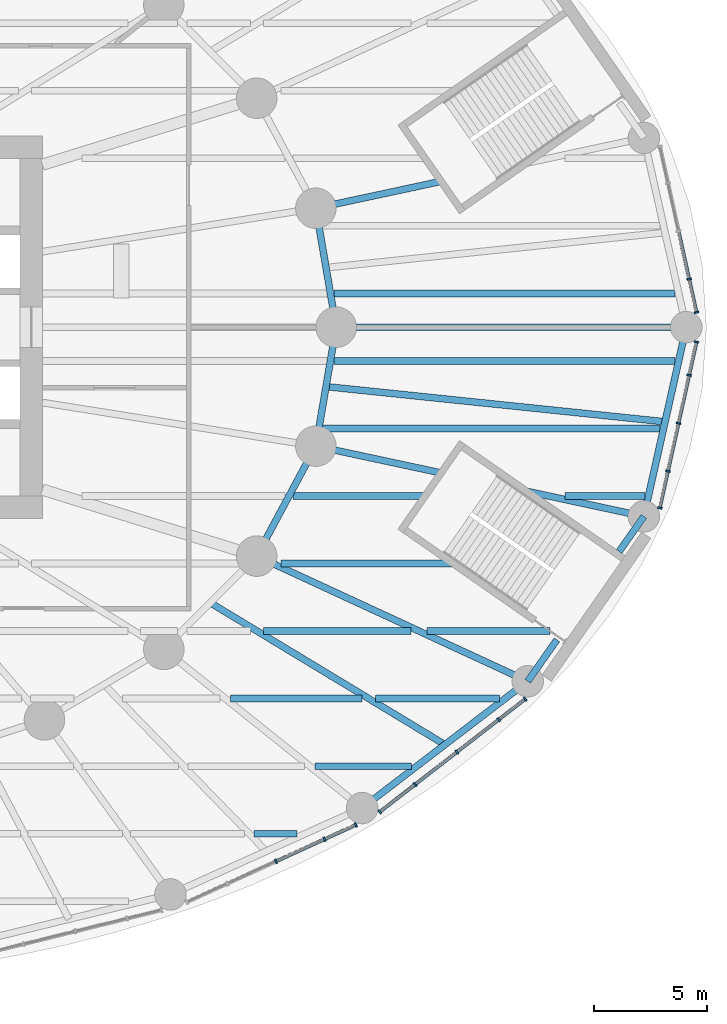
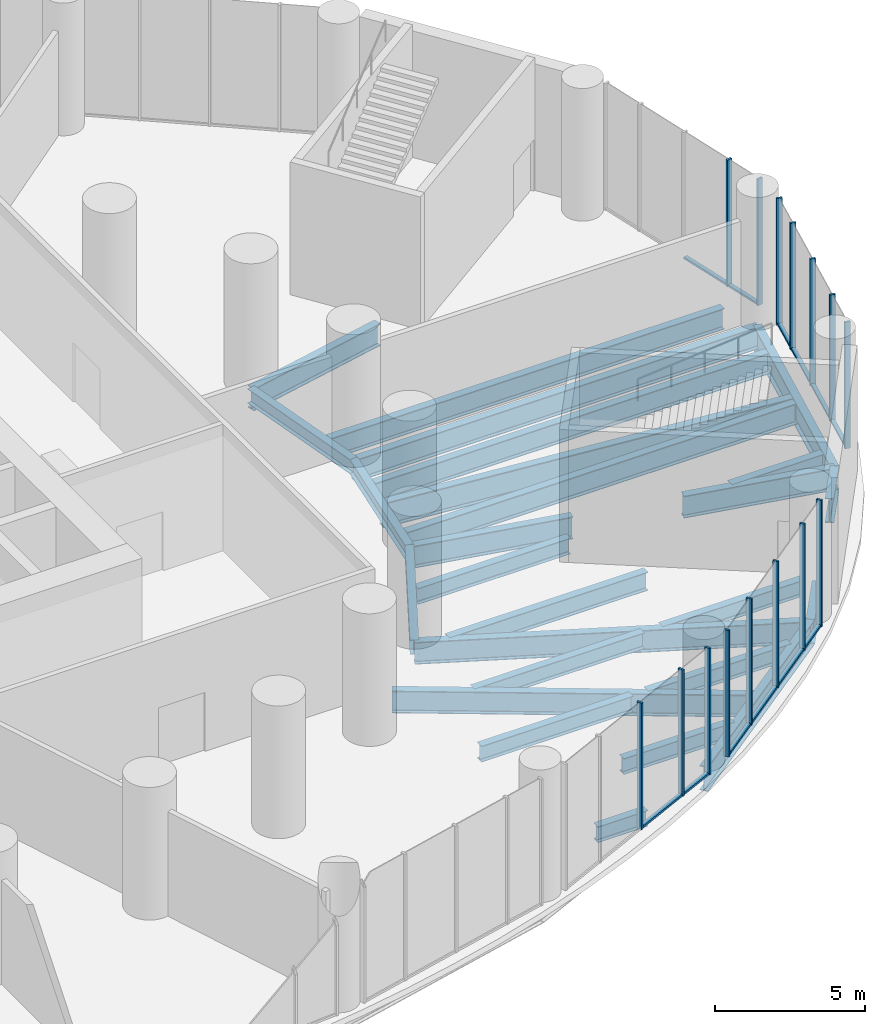
# One storey, part 11 of 23: 27 members, 26 beams, 4 elements without a shape of their own.
"""IFC4 building model written with IfcOpenShell, lengths in metres."""

from ifc_helpers import new_model, si_unit, direction, frame, origin, origin_2d, place, context, subcontext, project, spatial, rectangle, i_section, extrude, material, material_profile, profile_set, type_object, element, aggregate, save


model = new_model("IFC4")

# Units and contexts
model_context = context("Model", 3, precision=1e-05, world=origin(), true_north=direction((0.0, 1.0)))
body_context = subcontext(model_context, "Body", "Model", "MODEL_VIEW")
ifc_project = project(units=[si_unit("LENGTHUNIT", "METRE"), si_unit("AREAUNIT", "SQUARE_METRE"), si_unit("VOLUMEUNIT", "CUBIC_METRE"), si_unit("PLANEANGLEUNIT", "RADIAN"), si_unit("MASSUNIT", "GRAM", prefix="KILO")], contexts=[model_context])

# Site, building, storey
site_placement = place(None, origin())
site = spatial("IfcSite", under=ifc_project, at=site_placement, CompositionType="ELEMENT")
building_placement = place(site_placement, origin())
building = spatial("IfcBuilding", under=site, at=building_placement, Name="Hankou Lantern Tower", CompositionType="ELEMENT")
storey_placement = place(building_placement, frame((0.0, 0.0, 19.199951171875)))
storey = spatial("IfcBuildingStorey", under=building, at=storey_placement, Name="L03", CompositionType="ELEMENT", Elevation=19.199951171875)

# Beams
ifc_material_1 = material(Name="Steel Q355B", Category="steel")
ifc_material_profile_1 = material_profile(ifc_material_1, i_section(OverallWidth=0.300048828125, OverallDepth=0.587890625, WebThickness=0.011962890625, FlangeThickness=0.02001953125, FilletRadius=0.01806640625, at=origin_2d()), Name="HM588x300x12x20")
ifc_profile_set_1 = profile_set([ifc_material_profile_1], Name="Steel Q355B")
beam_type_1 = type_object("IfcBeamType", Name="EB16 RING BEAM HM588x300x12x20", PredefinedType="SPANDREL", material=ifc_profile_set_1)
beam_1_placement = place(storey_placement, frame((25.550048828125, 0.0, -0.5439453125), z_axis=(-0.168489691988, 0.985703415685, 0.0), x_axis=(-0.985703415685, -0.168489691988, 0.0)))
element("IfcBeam", 1, at=beam_1_placement, inside=storey, type_object=beam_type_1, Name="Ring beam R01-R02 L03", PredefinedType="SPANDREL", context=body_context, shape_type="SweptSolid", body=[
    extrude(i_section(OverallWidth=0.300048828125, OverallDepth=0.587890625, WebThickness=0.011962890625, FlangeThickness=0.02001953125, FilletRadius=0.01806640625, at=origin_2d()), origin(), (0.0, 0.0, 1.0), 5.35986328125),
])
beam_2_placement = place(storey_placement, frame((22.01904296875, -10.170166015625, -0.5439453125), z_axis=(0.473609096023, 0.880735161194, 0.0), x_axis=(-0.880735161194, 0.473609096023, 0.0)))
element("IfcBeam", 2, at=beam_2_placement, inside=storey, type_object=beam_type_1, Name="Ring beam R23-R24 L03", PredefinedType="SPANDREL", context=body_context, shape_type="SweptSolid", body=[
    extrude(i_section(OverallWidth=0.300048828125, OverallDepth=0.587890625, WebThickness=0.011962890625, FlangeThickness=0.02001953125, FilletRadius=0.01806640625, at=origin_2d()), origin(), (0.0, 0.0, 1.0), 5.548828125),
])
beam_3_placement = place(storey_placement, frame((24.64697265625, -5.283203125, -0.5439453125), z_axis=(0.168489691988, 0.985703415685, 0.0), x_axis=(-0.985703415685, 0.168489691988, 0.0)))
element("IfcBeam", 3, at=beam_3_placement, inside=storey, type_object=beam_type_1, Name="Ring beam R24-R01 L03", PredefinedType="SPANDREL", context=body_context, shape_type="SweptSolid", body=[
    extrude(i_section(OverallWidth=0.300048828125, OverallDepth=0.587890625, WebThickness=0.011962890625, FlangeThickness=0.02001953125, FilletRadius=0.01806640625, at=origin_2d()), origin(), (0.0, 0.0, 1.0), 5.35986328125),
])

# Curtain wall, members
ifc_material_2 = material(Name="Glass, dark grey tinted laminated", Category="glass")
curtain_wall_type = type_object("IfcCurtainWallType", Name="CWP PODIUM CURTAIN WALL", PredefinedType="USERDEFINED", material=ifc_material_2)
curtain_wall_1_placement = place(storey_placement, origin())
curtain_wall_1 = element("IfcCurtainWall", 4, at=curtain_wall_1_placement, inside=storey, type_object=curtain_wall_type, Name="CWP L03 PC17", ObjectType="PODIUM GLAZING", PredefinedType="USERDEFINED")
ifc_material_3 = material(Name="Aluminium, black anodised", Category="aluminium")
ifc_material_profile_2 = material_profile(ifc_material_3, rectangle(XDim=0.080078125, YDim=0.199951171875, at=origin_2d()), Name="MU2 80X200")
ifc_profile_set_2 = profile_set([ifc_material_profile_2], Name="Aluminium, black anodised")
member_type_1 = type_object("IfcMemberType", Name="MU2 PODIUM MULLION 80X200", PredefinedType="MULLION", material=ifc_profile_set_2)
member_1_placement = place(storey_placement, frame((22.873046875, -23.730224609375, 0.0), z_axis=(0.0, 0.0, 1.0), x_axis=(0.909669790944, 0.41533224224, 0.0)))
member_1 = element("IfcMember", 5, at=member_1_placement, type_object=member_type_1, Name="CWP mullion 3", PredefinedType="MULLION", context=body_context, shape_type="SweptSolid", body=[
    extrude(rectangle(XDim=0.080078125, YDim=0.199951171875, at=origin_2d()), origin(), (0.0, 0.0, 1.0), 5.150146484375),
])
member_2_placement = place(storey_placement, frame((25.034423828125, -22.743408203125, 0.0), z_axis=(0.0, 0.0, 1.0), x_axis=(0.909669790944, 0.41533224224, 0.0)))
member_2 = element("IfcMember", 6, at=member_2_placement, type_object=member_type_1, Name="CWP mullion 4", PredefinedType="MULLION", context=body_context, shape_type="SweptSolid", body=[
    extrude(rectangle(XDim=0.080078125, YDim=0.199951171875, at=origin_2d()), origin(), (0.0, 0.0, 1.0), 5.150146484375),
])
member_3_placement = place(storey_placement, frame((26.421630859375, -22.10986328125, 0.0), z_axis=(0.0, 0.0, 1.0), x_axis=(0.909669790944, 0.41533224224, 0.0)))
member_3 = element("IfcMember", 7, at=member_3_placement, type_object=member_type_1, Name="CWP mullion 5", PredefinedType="MULLION", context=body_context, shape_type="SweptSolid", body=[
    extrude(rectangle(XDim=0.080078125, YDim=0.199951171875, at=origin_2d()), origin(), (0.0, 0.0, 1.0), 5.150146484375),
])

curtain_wall_2_placement = place(storey_placement, origin())
curtain_wall_2 = element("IfcCurtainWall", 8, at=curtain_wall_2_placement, inside=storey, type_object=curtain_wall_type, Name="CWP L03 PC18", ObjectType="PODIUM GLAZING", PredefinedType="USERDEFINED")
member_4_placement = place(storey_placement, frame((27.487060546875, -21.530517578125, 0.0), z_axis=(0.0, 0.0, 1.0), x_axis=(0.790129760642, 0.612939606608, 0.0)))
member_4 = element("IfcMember", 9, at=member_4_placement, type_object=member_type_1, Name="CWP mullion 1", PredefinedType="MULLION", context=body_context, shape_type="SweptSolid", body=[
    extrude(rectangle(XDim=0.080078125, YDim=0.199951171875, at=origin_2d()), origin(), (0.0, 0.0, 1.0), 5.150146484375),
])
member_5_placement = place(storey_placement, frame((29.05322265625, -20.315673828125, 0.0), z_axis=(0.0, 0.0, 1.0), x_axis=(0.790129760642, 0.612939606608, 0.0)))
member_5 = element("IfcMember", 10, at=member_5_placement, type_object=member_type_1, Name="CWP mullion 2", PredefinedType="MULLION", context=body_context, shape_type="SweptSolid", body=[
    extrude(rectangle(XDim=0.080078125, YDim=0.199951171875, at=origin_2d()), origin(), (0.0, 0.0, 1.0), 5.150146484375),
])
member_6_placement = place(storey_placement, frame((30.91064453125, -18.874755859375, 0.0), z_axis=(0.0, 0.0, 1.0), x_axis=(0.790129760642, 0.612939606608, 0.0)))
member_6 = element("IfcMember", 11, at=member_6_placement, type_object=member_type_1, Name="CWP mullion 3", PredefinedType="MULLION", context=body_context, shape_type="SweptSolid", body=[
    extrude(rectangle(XDim=0.080078125, YDim=0.199951171875, at=origin_2d()), origin(), (0.0, 0.0, 1.0), 5.150146484375),
])
member_7_placement = place(storey_placement, frame((32.76806640625, -17.433837890625, 0.0), z_axis=(0.0, 0.0, 1.0), x_axis=(0.790129760642, 0.612939606608, 0.0)))
member_7 = element("IfcMember", 12, at=member_7_placement, type_object=member_type_1, Name="CWP mullion 4", PredefinedType="MULLION", context=body_context, shape_type="SweptSolid", body=[
    extrude(rectangle(XDim=0.080078125, YDim=0.199951171875, at=origin_2d()), origin(), (0.0, 0.0, 1.0), 5.150146484375),
])
member_8_placement = place(storey_placement, frame((33.945068359375, -16.520751953125, 0.0), z_axis=(0.0, 0.0, 1.0), x_axis=(0.790129760642, 0.612939606608, 0.0)))
member_8 = element("IfcMember", 13, at=member_8_placement, type_object=member_type_1, Name="CWP mullion 5", PredefinedType="MULLION", context=body_context, shape_type="SweptSolid", body=[
    extrude(rectangle(XDim=0.080078125, YDim=0.199951171875, at=origin_2d()), origin(), (0.0, 0.0, 1.0), 5.150146484375),
])

curtain_wall_3_placement = place(storey_placement, origin())
curtain_wall_3 = element("IfcCurtainWall", 14, at=curtain_wall_3_placement, inside=storey, type_object=curtain_wall_type, Name="CWP L03 PC19", ObjectType="PODIUM GLAZING", PredefinedType="USERDEFINED")
member_9_placement = place(storey_placement, frame((39.925537109375, -8.028564453125, 0.0), z_axis=(0.0, 0.0, 1.0), x_axis=(0.215821488116, 0.976432837049, 0.0)))
member_9 = element("IfcMember", 15, at=member_9_placement, type_object=member_type_1, Name="CWP mullion 1", PredefinedType="MULLION", context=body_context, shape_type="SweptSolid", body=[
    extrude(rectangle(XDim=0.080078125, YDim=0.199951171875, at=origin_2d()), origin(), (0.0, 0.0, 1.0), 5.150146484375),
])
member_10_placement = place(storey_placement, frame((40.28515625, -6.40087890625, 0.0), z_axis=(0.0, 0.0, 1.0), x_axis=(0.215821488116, 0.976432837049, 0.0)))
member_10 = element("IfcMember", 16, at=member_10_placement, type_object=member_type_1, Name="CWP mullion 2", PredefinedType="MULLION", context=body_context, shape_type="SweptSolid", body=[
    extrude(rectangle(XDim=0.080078125, YDim=0.199951171875, at=origin_2d()), origin(), (0.0, 0.0, 1.0), 5.150146484375),
])
member_11_placement = place(storey_placement, frame((40.7568359375, -4.267333984375, 0.0), z_axis=(0.0, 0.0, 1.0), x_axis=(0.215821488116, 0.976432837049, 0.0)))
member_11 = element("IfcMember", 17, at=member_11_placement, type_object=member_type_1, Name="CWP mullion 3", PredefinedType="MULLION", context=body_context, shape_type="SweptSolid", body=[
    extrude(rectangle(XDim=0.080078125, YDim=0.199951171875, at=origin_2d()), origin(), (0.0, 0.0, 1.0), 5.150146484375),
])
member_12_placement = place(storey_placement, frame((41.228515625, -2.133544921875, 0.0), z_axis=(0.0, 0.0, 1.0), x_axis=(0.215821488116, 0.976432837049, 0.0)))
member_12 = element("IfcMember", 18, at=member_12_placement, type_object=member_type_1, Name="CWP mullion 4", PredefinedType="MULLION", context=body_context, shape_type="SweptSolid", body=[
    extrude(rectangle(XDim=0.080078125, YDim=0.199951171875, at=origin_2d()), origin(), (0.0, 0.0, 1.0), 5.150146484375),
])
member_13_placement = place(storey_placement, frame((41.55419921875, -0.659423828125, 0.0), z_axis=(0.0, 0.0, 1.0), x_axis=(0.215821488116, 0.976432837049, 0.0)))
member_13 = element("IfcMember", 19, at=member_13_placement, type_object=member_type_1, Name="CWP mullion 5", PredefinedType="MULLION", context=body_context, shape_type="SweptSolid", body=[
    extrude(rectangle(XDim=0.080078125, YDim=0.199951171875, at=origin_2d()), origin(), (0.0, 0.0, 1.0), 5.150146484375),
])

curtain_wall_4_placement = place(storey_placement, origin())
curtain_wall_4 = element("IfcCurtainWall", 20, at=curtain_wall_4_placement, inside=storey, type_object=curtain_wall_type, Name="CWP L03 PC20", ObjectType="PODIUM GLAZING", PredefinedType="USERDEFINED")
member_14_placement = place(storey_placement, frame((41.55419921875, 0.659423828125, 0.0), z_axis=(0.0, 0.0, 1.0), x_axis=(-0.215821488116, 0.976432837049, 0.0)))
member_14 = element("IfcMember", 21, at=member_14_placement, type_object=member_type_1, Name="CWP mullion 1", PredefinedType="MULLION", context=body_context, shape_type="SweptSolid", body=[
    extrude(rectangle(XDim=0.080078125, YDim=0.199951171875, at=origin_2d()), origin(), (0.0, 0.0, 1.0), 5.150146484375),
])
member_15_placement = place(storey_placement, frame((41.228515625, 2.133544921875, 0.0), z_axis=(0.0, 0.0, 1.0), x_axis=(-0.215821488116, 0.976432837049, 0.0)))
member_15 = element("IfcMember", 22, at=member_15_placement, type_object=member_type_1, Name="CWP mullion 2", PredefinedType="MULLION", context=body_context, shape_type="SweptSolid", body=[
    extrude(rectangle(XDim=0.080078125, YDim=0.199951171875, at=origin_2d()), origin(), (0.0, 0.0, 1.0), 5.150146484375),
])

# Beams
ifc_material_4 = material(Name="Steel Q355B", Category="steel")
ifc_material_profile_3 = material_profile(ifc_material_4, i_section(OverallWidth=0.300048828125, OverallDepth=0.89990234375, WebThickness=0.01611328125, FlangeThickness=0.028076171875, FilletRadius=0.01806640625, at=origin_2d()), Name="HN900x300x16x28")
ifc_profile_set_3 = profile_set([ifc_material_profile_3], Name="Steel Q355B")
beam_type_2 = type_object("IfcBeamType", Name="PB13 PODIUM RADIAL BEAM HN900x300x16x28", PredefinedType="BEAM", material=ifc_profile_set_3)
beam_4_placement = place(storey_placement, frame((25.550048828125, 0.0, -0.699951171875), z_axis=(1.0, 0.0, 0.0), x_axis=(0.0, 1.0, 0.0)))
element("IfcBeam", 23, at=beam_4_placement, inside=storey, type_object=beam_type_2, Name="Podium radial beam R01 L03", PredefinedType="BEAM", context=body_context, shape_type="SweptSolid", body=[
    extrude(i_section(OverallWidth=0.300048828125, OverallDepth=0.89990234375, WebThickness=0.01611328125, FlangeThickness=0.028076171875, FilletRadius=0.01806640625, at=origin_2d()), origin(), (0.0, 0.0, 1.0), 15.550048828125),
])
beam_5_placement = place(storey_placement, frame((24.64697265625, 5.283203125, -0.699951171875), z_axis=(0.977787338777, 0.209599427782, 0.0), x_axis=(-0.209599427782, 0.977787338777, 0.0)))
element("IfcBeam", 24, at=beam_5_placement, inside=storey, type_object=beam_type_2, Name="Podium radial beam R02 L03 inner part", PredefinedType="BEAM", context=body_context, shape_type="SweptSolid", body=[
    extrude(i_section(OverallWidth=0.300048828125, OverallDepth=0.89990234375, WebThickness=0.01611328125, FlangeThickness=0.028076171875, FilletRadius=0.01806640625, at=origin_2d()), origin(), (0.0, 0.0, 1.0), 5.68896484375),
])
beam_6_placement = place(storey_placement, frame((22.01904296875, -10.170166015625, -0.699951171875), z_axis=(0.907840792808, -0.419315030633, 0.0), x_axis=(0.419315030633, 0.907840792808, 0.0)))
element("IfcBeam", 25, at=beam_6_placement, inside=storey, type_object=beam_type_2, Name="Podium radial beam R23 L03", PredefinedType="BEAM", context=body_context, shape_type="SweptSolid", body=[
    extrude(i_section(OverallWidth=0.300048828125, OverallDepth=0.89990234375, WebThickness=0.01611328125, FlangeThickness=0.028076171875, FilletRadius=0.01806640625, at=origin_2d()), origin(), (0.0, 0.0, 1.0), 13.259765625),
])
beam_7_placement = place(storey_placement, frame((24.64697265625, -5.283203125, -0.699951171875), z_axis=(0.977787338777, -0.209599427782, 0.0), x_axis=(0.209599427782, 0.977787338777, 0.0)))
element("IfcBeam", 26, at=beam_7_placement, inside=storey, type_object=beam_type_2, Name="Podium radial beam R24 L03 inner part", PredefinedType="BEAM", context=body_context, shape_type="SweptSolid", body=[
    extrude(i_section(OverallWidth=0.300048828125, OverallDepth=0.89990234375, WebThickness=0.01611328125, FlangeThickness=0.028076171875, FilletRadius=0.01806640625, at=origin_2d()), origin(), (0.0, 0.0, 1.0), 5.68896484375),
])
beam_8_placement = place(storey_placement, frame((34.01025390625, -7.29052734375, -0.699951171875), z_axis=(0.977788323488, -0.209594834028, 0.0), x_axis=(0.209594834028, 0.977788323488, 0.0)))
element("IfcBeam", 27, at=beam_8_placement, inside=storey, type_object=beam_type_2, Name="Podium radial beam R24 L03 outer part", PredefinedType="BEAM", context=body_context, shape_type="SweptSolid", body=[
    extrude(i_section(OverallWidth=0.300048828125, OverallDepth=0.89990234375, WebThickness=0.01611328125, FlangeThickness=0.028076171875, FilletRadius=0.01806640625, at=origin_2d()), origin(), (0.0, 0.0, 1.0), 5.32568359375),
])
ifc_material_5 = material(Name="Steel Q355B", Category="steel")
ifc_material_profile_4 = material_profile(ifc_material_5, i_section(OverallWidth=0.300048828125, OverallDepth=1.0, WebThickness=0.01904296875, FlangeThickness=0.035888671875, FilletRadius=0.01806640625, at=origin_2d()), Name="HN1000x300x19x36")
ifc_profile_set_4 = profile_set([ifc_material_profile_4], Name="Steel Q355B")
beam_type_3 = type_object("IfcBeamType", Name="PR22 PODIUM RING BEAM HN1000x300x19x36", PredefinedType="BEAM", material=ifc_profile_set_4)
beam_9_placement = place(storey_placement, frame((26.7021484375, -21.361572265625, -0.75), z_axis=(0.793985875103, 0.607936205647, 0.0), x_axis=(-0.607936205647, 0.793985875103, 0.0)))
element("IfcBeam", 28, at=beam_9_placement, inside=storey, type_object=beam_type_3, Name="Podium ring beam R22-R23 L03", PredefinedType="BEAM", context=body_context, shape_type="SweptSolid", body=[
    extrude(i_section(OverallWidth=0.300048828125, OverallDepth=1.0, WebThickness=0.01904296875, FlangeThickness=0.035888671875, FilletRadius=0.01806640625, at=origin_2d()), origin(), (0.0, 0.0, 1.0), 9.262939453125),
])
beam_10_placement = place(storey_placement, frame((34.056884765625, -15.730224609375, -0.75), z_axis=(0.576006222853, 0.817445307794, 0.0), x_axis=(-0.817445307794, 0.576006222853, 0.0)))
element("IfcBeam", 29, at=beam_10_placement, inside=storey, type_object=beam_type_3, Name="Podium ring beam R23-R24 L03 west part", PredefinedType="BEAM", context=body_context, shape_type="SweptSolid", body=[
    extrude(i_section(OverallWidth=0.300048828125, OverallDepth=1.0, WebThickness=0.01904296875, FlangeThickness=0.035888671875, FilletRadius=0.01806640625, at=origin_2d()), origin(), (0.0, 0.0, 1.0), 2.251953125),
])
beam_11_placement = place(storey_placement, frame((38.118896484375, -9.9658203125, -0.75), z_axis=(0.576019631526, 0.817435859317, 0.0), x_axis=(-0.817435859317, 0.576019631526, 0.0)))
element("IfcBeam", 30, at=beam_11_placement, inside=storey, type_object=beam_type_3, Name="Podium ring beam R23-R24 L03 east part", PredefinedType="BEAM", context=body_context, shape_type="SweptSolid", body=[
    extrude(i_section(OverallWidth=0.300048828125, OverallDepth=1.0, WebThickness=0.01904296875, FlangeThickness=0.035888671875, FilletRadius=0.01806640625, at=origin_2d()), origin(), (0.0, 0.0, 1.0), 1.9072265625),
])
beam_12_placement = place(storey_placement, frame((39.217529296875, -8.40673828125, -0.75), z_axis=(0.218523498172, 0.975831686689, 0.0), x_axis=(-0.975831686689, 0.218523498172, 0.0)))
element("IfcBeam", 31, at=beam_12_placement, inside=storey, type_object=beam_type_3, Name="Podium ring beam R24-R01 L03", PredefinedType="BEAM", context=body_context, shape_type="SweptSolid", body=[
    extrude(i_section(OverallWidth=0.300048828125, OverallDepth=1.0, WebThickness=0.01904296875, FlangeThickness=0.035888671875, FilletRadius=0.01806640625, at=origin_2d()), origin(), (0.0, 0.0, 1.0), 8.614990234375),
])
ifc_material_6 = material(Name="Steel Q355B", Category="steel")
ifc_material_profile_5 = material_profile(ifc_material_6, i_section(OverallWidth=0.300048828125, OverallDepth=0.89990234375, WebThickness=0.01611328125, FlangeThickness=0.028076171875, FilletRadius=0.01806640625, at=origin_2d()), Name="HN900x300x16x28")
ifc_profile_set_5 = profile_set([ifc_material_profile_5], Name="Steel Q355B")
beam_type_4 = type_object("IfcBeamType", Name="PS13 PODIUM SECONDARY BEAM HN900x300x16x28", PredefinedType="JOIST", material=ifc_profile_set_5)
beam_13_placement = place(storey_placement, frame((19.955322265625, -12.24169921875, -0.699951171875), z_axis=(0.855685755165, -0.517495785884, 0.0), x_axis=(0.517495785884, 0.855685755165, 0.0)))
element("IfcBeam", 32, at=beam_13_placement, inside=storey, type_object=beam_type_4, Name="Podium secondary beam bay R22 L03", PredefinedType="JOIST", context=body_context, shape_type="SweptSolid", body=[
    extrude(i_section(OverallWidth=0.300048828125, OverallDepth=0.89990234375, WebThickness=0.01611328125, FlangeThickness=0.028076171875, FilletRadius=0.01806640625, at=origin_2d()), origin(), (0.0, 0.0, 1.0), 12.18212890625),
])
ifc_material_7 = material(Name="Steel Q355B", Category="steel")
ifc_material_profile_6 = material_profile(ifc_material_7, i_section(OverallWidth=0.300048828125, OverallDepth=1.0, WebThickness=0.01904296875, FlangeThickness=0.035888671875, FilletRadius=0.01806640625, at=origin_2d()), Name="HN1000x300x19x36")
ifc_profile_set_6 = profile_set([ifc_material_profile_6], Name="Steel Q355B")
beam_type_5 = type_object("IfcBeamType", Name="PS22 PODIUM SECONDARY BEAM HN1000x300x19x36", PredefinedType="JOIST", material=ifc_profile_set_6)
beam_14_placement = place(storey_placement, frame((25.098388671875, -2.6416015625, -0.75), z_axis=(0.994666039581, -0.103147805132, 0.0), x_axis=(0.103147805132, 0.994666039581, 0.0)))
element("IfcBeam", 33, at=beam_14_placement, inside=storey, type_object=beam_type_5, Name="Podium secondary beam bay R24 L03", PredefinedType="JOIST", context=body_context, shape_type="SweptSolid", body=[
    extrude(i_section(OverallWidth=0.300048828125, OverallDepth=1.0, WebThickness=0.01904296875, FlangeThickness=0.035888671875, FilletRadius=0.01806640625, at=origin_2d()), origin(), (0.0, 0.0, 1.0), 15.14111328125),
])
ifc_material_8 = material(Name="Steel Q355B", Category="steel")
ifc_material_profile_7 = material_profile(ifc_material_8, i_section(OverallWidth=0.300048828125, OverallDepth=0.75, WebThickness=0.012939453125, FlangeThickness=0.02392578125, FilletRadius=0.01806640625, at=origin_2d()), Name="HN750x300x13x24")
ifc_profile_set_7 = profile_set([ifc_material_profile_7], Name="Steel Q355B")
beam_type_6 = type_object("IfcBeamType", Name="SB10 SECONDARY BEAM HN750x300x13x24", PredefinedType="JOIST", material=ifc_profile_set_7)
beam_15_placement = place(storey_placement, frame((23.0908203125, -10.5, -0.625), z_axis=(1.0, 0.0, 0.0), x_axis=(0.0, 1.0, 0.0)))
element("IfcBeam", 34, at=beam_15_placement, inside=storey, type_object=beam_type_6, Name="Floor joist J068 L03", PredefinedType="JOIST", context=body_context, shape_type="SweptSolid", body=[
    extrude(i_section(OverallWidth=0.300048828125, OverallDepth=0.75, WebThickness=0.012939453125, FlangeThickness=0.02392578125, FilletRadius=0.01806640625, at=origin_2d()), origin(), (0.0, 0.0, 1.0), 7.653076171875),
])
ifc_material_9 = material(Name="Steel Q355B", Category="steel")
ifc_material_profile_8 = material_profile(ifc_material_9, i_section(OverallWidth=0.300048828125, OverallDepth=0.85009765625, WebThickness=0.01611328125, FlangeThickness=0.027099609375, FilletRadius=0.01806640625, at=origin_2d()), Name="HN850x300x16x27")
ifc_profile_set_8 = profile_set([ifc_material_profile_8], Name="Steel Q355B")
beam_type_7 = type_object("IfcBeamType", Name="SB12 SECONDARY BEAM HN850x300x16x27", PredefinedType="JOIST", material=ifc_profile_set_8)
beam_16_placement = place(storey_placement, frame((24.93310546875, -4.5, -0.675048828125), z_axis=(1.0, 0.0, 0.0), x_axis=(0.0, 1.0, 0.0)))
element("IfcBeam", 35, at=beam_16_placement, inside=storey, type_object=beam_type_7, Name="Floor joist J080 L03", PredefinedType="JOIST", context=body_context, shape_type="SweptSolid", body=[
    extrude(i_section(OverallWidth=0.300048828125, OverallDepth=0.85009765625, WebThickness=0.01611328125, FlangeThickness=0.027099609375, FilletRadius=0.01806640625, at=origin_2d()), origin(), (0.0, 0.0, 1.0), 15.005615234375),
])
for number, where, z_axis, x_axis, name in (
    (36, (25.44580078125, -1.5, -0.675048828125), (1.0, 0.0, 0.0), (0.0, 1.0, 0.0), "Floor joist J084 L03"),
    (37, (25.44580078125, 1.5, -0.675048828125), (1.0, 0.0, 0.0), (0.0, 1.0, 0.0), "Floor joist J088 L03"),
):
    element("IfcBeam", number, at=place(storey_placement, frame(where, z_axis=z_axis, x_axis=x_axis)), inside=storey, type_object=beam_type_7, Name=name, PredefinedType="JOIST", context=body_context, shape_type="SweptSolid", body=[
        extrude(i_section(OverallWidth=0.300048828125, OverallDepth=0.85009765625, WebThickness=0.01611328125, FlangeThickness=0.027099609375, FilletRadius=0.01806640625, at=origin_2d()), origin(), (0.0, 0.0, 1.0), 15.16455078125),
    ])
ifc_material_10 = material(Name="Steel Q355B", Category="steel")
ifc_material_profile_9 = material_profile(ifc_material_10, i_section(OverallWidth=0.300048828125, OverallDepth=0.64990234375, WebThickness=0.010986328125, FlangeThickness=0.01708984375, FilletRadius=0.01806640625, at=origin_2d()), Name="HN650x300x11x17")
ifc_profile_set_9 = profile_set([ifc_material_profile_9], Name="Steel Q355B")
beam_type_8 = type_object("IfcBeamType", Name="SB8 SECONDARY BEAM HN650x300x11x17", PredefinedType="JOIST", material=ifc_profile_set_9)
beam_17_placement = place(storey_placement, frame((21.893798828125, -22.5, -0.574951171875), z_axis=(1.0, 0.0, 0.0), x_axis=(0.0, 1.0, 0.0)))
element("IfcBeam", 38, at=beam_17_placement, inside=storey, type_object=beam_type_8, Name="Floor joist J020 L03", PredefinedType="JOIST", context=body_context, shape_type="SweptSolid", body=[
    extrude(i_section(OverallWidth=0.300048828125, OverallDepth=0.64990234375, WebThickness=0.010986328125, FlangeThickness=0.01708984375, FilletRadius=0.01806640625, at=origin_2d()), origin(), (0.0, 0.0, 1.0), 1.917236328125),
])
beam_18_placement = place(storey_placement, frame((24.615234375, -19.5, -0.574951171875), z_axis=(1.0, 0.0, 0.0), x_axis=(0.0, 1.0, 0.0)))
element("IfcBeam", 39, at=beam_18_placement, inside=storey, type_object=beam_type_8, Name="Floor joist J032 L03", PredefinedType="JOIST", context=body_context, shape_type="SweptSolid", body=[
    extrude(i_section(OverallWidth=0.300048828125, OverallDepth=0.64990234375, WebThickness=0.010986328125, FlangeThickness=0.01708984375, FilletRadius=0.01806640625, at=origin_2d()), origin(), (0.0, 0.0, 1.0), 4.271484375),
])
beam_19_placement = place(storey_placement, frame((20.865234375, -16.5, -0.574951171875), z_axis=(1.0, 0.0, 0.0), x_axis=(0.0, 1.0, 0.0)))
element("IfcBeam", 40, at=beam_19_placement, inside=storey, type_object=beam_type_8, Name="Floor joist J043 L03", PredefinedType="JOIST", context=body_context, shape_type="SweptSolid", body=[
    extrude(i_section(OverallWidth=0.300048828125, OverallDepth=0.64990234375, WebThickness=0.010986328125, FlangeThickness=0.01708984375, FilletRadius=0.01806640625, at=origin_2d()), origin(), (0.0, 0.0, 1.0), 5.84130859375),
])
beam_20_placement = place(storey_placement, frame((27.286376953125, -16.5, -0.574951171875), z_axis=(1.0, 0.0, 0.0), x_axis=(0.0, 1.0, 0.0)))
element("IfcBeam", 41, at=beam_20_placement, inside=storey, type_object=beam_type_8, Name="Floor joist J044 L03", PredefinedType="JOIST", context=body_context, shape_type="SweptSolid", body=[
    extrude(i_section(OverallWidth=0.300048828125, OverallDepth=0.64990234375, WebThickness=0.010986328125, FlangeThickness=0.01708984375, FilletRadius=0.01806640625, at=origin_2d()), origin(), (0.0, 0.0, 1.0), 5.518310546875),
])
beam_21_placement = place(storey_placement, frame((22.32568359375, -13.5, -0.574951171875), z_axis=(1.0, 0.0, 0.0), x_axis=(0.0, 1.0, 0.0)))
element("IfcBeam", 42, at=beam_21_placement, inside=storey, type_object=beam_type_8, Name="Floor joist J057 L03", PredefinedType="JOIST", context=body_context, shape_type="SweptSolid", body=[
    extrude(i_section(OverallWidth=0.300048828125, OverallDepth=0.64990234375, WebThickness=0.010986328125, FlangeThickness=0.01708984375, FilletRadius=0.01806640625, at=origin_2d()), origin(), (0.0, 0.0, 1.0), 6.544921875),
])
beam_22_placement = place(storey_placement, frame((29.586181640625, -13.5, -0.574951171875), z_axis=(1.0, 0.0, 0.0), x_axis=(0.0, 1.0, 0.0)))
element("IfcBeam", 43, at=beam_22_placement, inside=storey, type_object=beam_type_8, Name="Floor joist J058 L03", PredefinedType="JOIST", context=body_context, shape_type="SweptSolid", body=[
    extrude(i_section(OverallWidth=0.300048828125, OverallDepth=0.64990234375, WebThickness=0.010986328125, FlangeThickness=0.01708984375, FilletRadius=0.01806640625, at=origin_2d()), origin(), (0.0, 0.0, 1.0), 5.470703125),
])
beam_23_placement = place(storey_placement, frame((23.625244140625, -7.5, -0.574951171875), z_axis=(1.0, 0.0, 0.0), x_axis=(0.0, 1.0, 0.0)))
element("IfcBeam", 44, at=beam_23_placement, inside=storey, type_object=beam_type_8, Name="Floor joist J073 L03", PredefinedType="JOIST", context=body_context, shape_type="SweptSolid", body=[
    extrude(i_section(OverallWidth=0.300048828125, OverallDepth=0.64990234375, WebThickness=0.010986328125, FlangeThickness=0.01708984375, FilletRadius=0.01806640625, at=origin_2d()), origin(), (0.0, 0.0, 1.0), 5.87158203125),
])
beam_24_placement = place(storey_placement, frame((35.70361328125, -7.5, -0.574951171875), z_axis=(1.0, 0.0, 0.0), x_axis=(0.0, 1.0, 0.0)))
element("IfcBeam", 45, at=beam_24_placement, inside=storey, type_object=beam_type_8, Name="Floor joist J074 L03", PredefinedType="JOIST", context=body_context, shape_type="SweptSolid", body=[
    extrude(i_section(OverallWidth=0.300048828125, OverallDepth=0.64990234375, WebThickness=0.010986328125, FlangeThickness=0.01708984375, FilletRadius=0.01806640625, at=origin_2d()), origin(), (0.0, 0.0, 1.0), 3.563232421875),
])

# Member
ifc_material_11 = material(Name="Aluminium, black anodised", Category="aluminium")
ifc_material_profile_10 = material_profile(ifc_material_11, rectangle(XDim=0.14990234375, YDim=0.080078125, at=origin_2d()), Name="TR2 150X80")
ifc_profile_set_10 = profile_set([ifc_material_profile_10], Name="Aluminium, black anodised")
member_type_2 = type_object("IfcMemberType", Name="TR2 PODIUM TRANSOM 150X80", PredefinedType="USERDEFINED", material=ifc_profile_set_10)
member_16_placement = place(storey_placement, frame((22.909423828125, -23.713623046875, 0.0400390625), z_axis=(0.909669664149, 0.415332519949, 0.0), x_axis=(-0.415332519949, 0.909669664149, 0.0)))
member_16 = element("IfcMember", 46, at=member_16_placement, type_object=member_type_2, Name="CWP transom 3", ObjectType="TRANSOM", PredefinedType="USERDEFINED", context=body_context, shape_type="SweptSolid", body=[
    extrude(rectangle(XDim=0.14990234375, YDim=0.080078125, at=origin_2d()), origin(), (0.0, 0.0, 1.0), 2.296142578125),
])

member_17_placement = place(storey_placement, frame((25.07080078125, -22.726806640625, 0.0400390625), z_axis=(0.909682453266, 0.415304507825, 0.0), x_axis=(-0.415304507825, 0.909682453266, 0.0)))
member_17 = element("IfcMember", 47, at=member_17_placement, type_object=member_type_2, Name="CWP transom 4", ObjectType="TRANSOM", PredefinedType="USERDEFINED", context=body_context, shape_type="SweptSolid", body=[
    extrude(rectangle(XDim=0.14990234375, YDim=0.080078125, at=origin_2d()), origin(), (0.0, 0.0, 1.0), 1.445068359375),
])

aggregate(curtain_wall_1, [member_1, member_2, member_3, member_16, member_17])

member_18_placement = place(storey_placement, frame((27.5185546875, -21.506103515625, 0.0400390625), z_axis=(0.790098015443, 0.612980526601, 0.0), x_axis=(-0.612980526601, 0.790098015443, 0.0)))
member_18 = element("IfcMember", 48, at=member_18_placement, type_object=member_type_2, Name="CWP transom 1", ObjectType="TRANSOM", PredefinedType="USERDEFINED", context=body_context, shape_type="SweptSolid", body=[
    extrude(rectangle(XDim=0.14990234375, YDim=0.080078125, at=origin_2d()), origin(), (0.0, 0.0, 1.0), 1.902099609375),
])

member_19_placement = place(storey_placement, frame((29.084716796875, -20.291015625, 0.0400390625), z_axis=(0.79016773701, 0.612890648802, 0.0), x_axis=(-0.612890648802, 0.79016773701, 0.0)))
member_19 = element("IfcMember", 49, at=member_19_placement, type_object=member_type_2, Name="CWP transom 2", ObjectType="TRANSOM", PredefinedType="USERDEFINED", context=body_context, shape_type="SweptSolid", body=[
    extrude(rectangle(XDim=0.14990234375, YDim=0.080078125, at=origin_2d()), origin(), (0.0, 0.0, 1.0), 2.27099609375),
])

member_20_placement = place(storey_placement, frame((30.942138671875, -18.85009765625, 0.0400390625), z_axis=(0.79016773701, 0.612890648802, 0.0), x_axis=(-0.612890648802, 0.79016773701, 0.0)))
member_20 = element("IfcMember", 50, at=member_20_placement, type_object=member_type_2, Name="CWP transom 3", ObjectType="TRANSOM", PredefinedType="USERDEFINED", context=body_context, shape_type="SweptSolid", body=[
    extrude(rectangle(XDim=0.14990234375, YDim=0.080078125, at=origin_2d()), origin(), (0.0, 0.0, 1.0), 2.27099609375),
])

member_21_placement = place(storey_placement, frame((32.7998046875, -17.4091796875, 0.0400390625), z_axis=(0.790144462034, 0.612920654829, 0.0), x_axis=(-0.612920654829, 0.790144462034, 0.0)))
member_21 = element("IfcMember", 51, at=member_21_placement, type_object=member_type_2, Name="CWP transom 4", ObjectType="TRANSOM", PredefinedType="USERDEFINED", context=body_context, shape_type="SweptSolid", body=[
    extrude(rectangle(XDim=0.14990234375, YDim=0.080078125, at=origin_2d()), origin(), (0.0, 0.0, 1.0), 1.4091796875),
])

aggregate(curtain_wall_2, [member_4, member_5, member_6, member_7, member_8, member_18, member_19, member_20, member_21])

member_22_placement = place(storey_placement, frame((39.93408203125, -7.989501953125, 0.0400390625), z_axis=(0.215838955929, 0.976428975965, 0.0), x_axis=(-0.976428975965, 0.215838955929, 0.0)))
member_22 = element("IfcMember", 52, at=member_22_placement, type_object=member_type_2, Name="CWP transom 1", ObjectType="TRANSOM", PredefinedType="USERDEFINED", context=body_context, shape_type="SweptSolid", body=[
    extrude(rectangle(XDim=0.14990234375, YDim=0.080078125, at=origin_2d()), origin(), (0.0, 0.0, 1.0), 1.5869140625),
])

member_23_placement = place(storey_placement, frame((40.2939453125, -6.36181640625, 0.0400390625), z_axis=(0.215812948044, 0.976434724627, 0.0), x_axis=(-0.976434724627, 0.215812948044, 0.0)))
member_23 = element("IfcMember", 53, at=member_23_placement, type_object=member_type_2, Name="CWP transom 2", ObjectType="TRANSOM", PredefinedType="USERDEFINED", context=body_context, shape_type="SweptSolid", body=[
    extrude(rectangle(XDim=0.14990234375, YDim=0.080078125, at=origin_2d()), origin(), (0.0, 0.0, 1.0), 2.105224609375),
])

member_24_placement = place(storey_placement, frame((40.765380859375, -4.228271484375, 0.0400390625), z_axis=(0.215812948044, 0.976434724627, 0.0), x_axis=(-0.976434724627, 0.215812948044, 0.0)))
member_24 = element("IfcMember", 54, at=member_24_placement, type_object=member_type_2, Name="CWP transom 3", ObjectType="TRANSOM", PredefinedType="USERDEFINED", context=body_context, shape_type="SweptSolid", body=[
    extrude(rectangle(XDim=0.14990234375, YDim=0.080078125, at=origin_2d()), origin(), (0.0, 0.0, 1.0), 2.105224609375),
])

member_25_placement = place(storey_placement, frame((41.237060546875, -2.094482421875, 0.0400390625), z_axis=(0.215845471344, 0.976427535714, 0.0), x_axis=(-0.976427535714, 0.215845471344, 0.0)))
member_25 = element("IfcMember", 55, at=member_25_placement, type_object=member_type_2, Name="CWP transom 4", ObjectType="TRANSOM", PredefinedType="USERDEFINED", context=body_context, shape_type="SweptSolid", body=[
    extrude(rectangle(XDim=0.14990234375, YDim=0.080078125, at=origin_2d()), origin(), (0.0, 0.0, 1.0), 1.4296875),
])

aggregate(curtain_wall_3, [member_9, member_10, member_11, member_12, member_13, member_22, member_23, member_24, member_25])

member_26_placement = place(storey_placement, frame((41.545654296875, 0.698486328125, 0.0400390625), z_axis=(-0.215845471344, 0.976427535714, 0.0), x_axis=(-0.976427535714, -0.215845471344, 0.0)))
member_26 = element("IfcMember", 56, at=member_26_placement, type_object=member_type_2, Name="CWP transom 1", ObjectType="TRANSOM", PredefinedType="USERDEFINED", context=body_context, shape_type="SweptSolid", body=[
    extrude(rectangle(XDim=0.14990234375, YDim=0.080078125, at=origin_2d()), origin(), (0.0, 0.0, 1.0), 1.4296875),
])

member_27_placement = place(storey_placement, frame((41.2197265625, 2.172607421875, 0.0400390625), z_axis=(-0.215812948044, 0.976434724627, 0.0), x_axis=(-0.976434724627, -0.215812948044, 0.0)))
member_27 = element("IfcMember", 57, at=member_27_placement, type_object=member_type_2, Name="CWP transom 2", ObjectType="TRANSOM", PredefinedType="USERDEFINED", context=body_context, shape_type="SweptSolid", body=[
    extrude(rectangle(XDim=0.14990234375, YDim=0.080078125, at=origin_2d()), origin(), (0.0, 0.0, 1.0), 2.105224609375),
])

aggregate(curtain_wall_4, [member_14, member_15, member_26, member_27])

save(model, "model.ifc")
